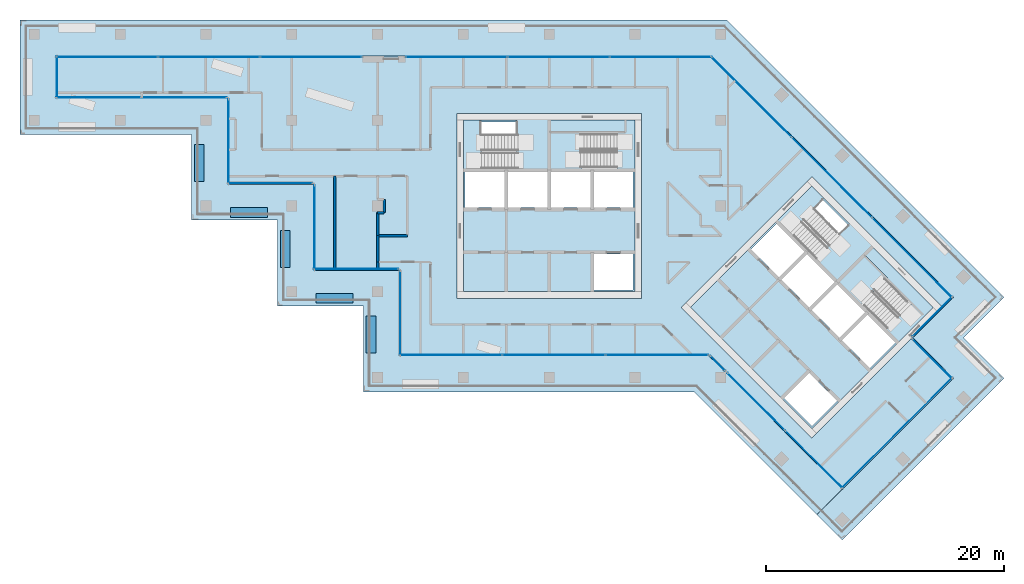
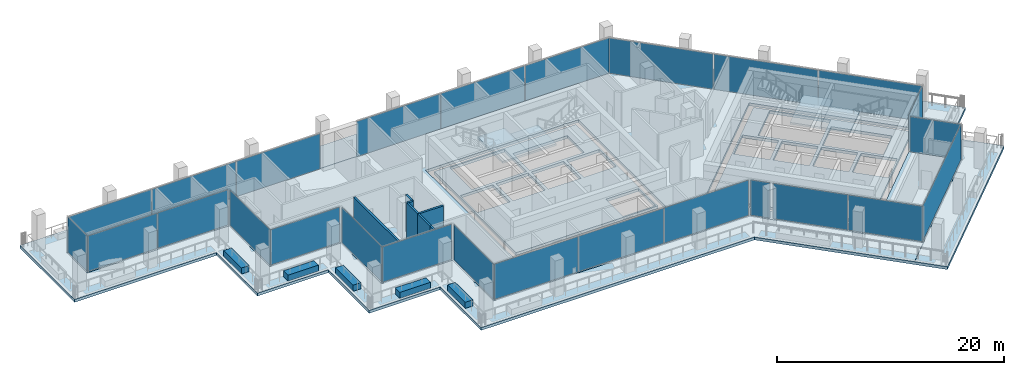
# One storey, part 8 of 19: 26 plates, 12 walls, 8 slabs, 16 openings, 20 elements without a shape of their own.
"""IFC4 building model written with IfcOpenShell, lengths in metres."""

from ifc_helpers import new_model, si_unit, direction, frame, frame_2d, origin, origin_2d, place, context, subcontext, project, spatial, polyline, rectangle, outline, extrude, material, layer, layer_set, type_object, element, aggregate, save


model = new_model("IFC4")

# Units and contexts
model_context = context("Model", 3, precision=1e-05, world=origin(), true_north=direction((0.0, 1.0)))
body_context = subcontext(model_context, "Body", "Model", "MODEL_VIEW")
ifc_project = project(units=[si_unit("LENGTHUNIT", "METRE"), si_unit("AREAUNIT", "SQUARE_METRE"), si_unit("VOLUMEUNIT", "CUBIC_METRE"), si_unit("PLANEANGLEUNIT", "RADIAN"), si_unit("MASSUNIT", "GRAM", prefix="KILO")], contexts=[model_context])

# Site, building, storey
site_placement = place(None, origin())
site = spatial("IfcSite", under=ifc_project, at=site_placement, CompositionType="ELEMENT")
building_placement = place(site_placement, origin())
building = spatial("IfcBuilding", under=site, at=building_placement, Name="Windrow Commons", CompositionType="ELEMENT")
storey_placement = place(building_placement, frame((0.0, 0.0, 185.4)))
storey = spatial("IfcBuildingStorey", under=building, at=storey_placement, Name="L50", CompositionType="ELEMENT", Elevation=185.4)

# Slab, openings
ifc_material_1 = material(Name="Concrete C50/60", Category="concrete")
ifc_layer_1 = layer(ifc_material_1, 0.3)
ifc_layer_set_1 = layer_set([ifc_layer_1], Name="CORE FLOOR SLAB 300 C50/60")
slab_type_1 = type_object("IfcSlabType", Name="CORE FLOOR SLAB 300 C50/60", PredefinedType="FLOOR", material=ifc_layer_set_1)
placement_1 = place(storey_placement, frame((0.0, 0.0, -0.3)))
slab_1 = element("IfcSlab", 1, at=placement_1, inside=storey, type_object=slab_type_1, Name="S-L50-core-A", PredefinedType="FLOOR", context=body_context, shape_type="SweptSolid", body=[
    extrude(outline(polyline([(57.6, 50.4), (72.0, 50.4), (72.0, 64.8), (57.6, 64.8), (57.6, 50.4)]), holes=[polyline([(68.55, 50.55), (71.85, 50.55), (71.85, 53.55), (68.55, 53.55), (68.55, 50.55)]), polyline([(57.75, 57.45), (61.05, 57.45), (61.05, 60.45), (57.75, 60.45), (57.75, 57.45)]), polyline([(61.35, 57.45), (64.65, 57.45), (64.65, 60.45), (61.35, 60.45), (61.35, 57.45)]), polyline([(64.95, 57.45), (68.25, 57.45), (68.25, 60.45), (64.95, 60.45), (64.95, 57.45)]), polyline([(68.55, 57.45), (71.85, 57.45), (71.85, 60.45), (68.55, 60.45), (68.55, 57.45)]), polyline([(59.1, 60.75), (64.65, 60.75), (64.65, 64.65), (59.1, 64.65), (59.1, 60.75)]), polyline([(64.95, 60.75), (70.5, 60.75), (70.5, 63.705), (64.95, 63.705), (64.95, 60.75)])]), origin(), (0.0, 0.0, 1.0), 0.3),
])
opening_1_placement = place(placement_1, origin())
element("IfcOpeningElement", 2, at=opening_1_placement, cuts=slab_1, Name="Slab opening S-L50-core-A 1", PredefinedType="OPENING", context=body_context, shape_type="SweptSolid", body=[
    extrude(outline(polyline([(68.555, 50.555), (68.555, 53.545), (71.845, 53.545), (71.845, 50.555), (68.555, 50.555)])), origin(), (0.0, 0.0, 1.0), 0.3),
])
opening_2_placement = place(placement_1, origin())
element("IfcOpeningElement", 3, at=opening_2_placement, cuts=slab_1, Name="Slab opening S-L50-core-A 2", PredefinedType="OPENING", context=body_context, shape_type="SweptSolid", body=[
    extrude(outline(polyline([(57.755, 57.455), (57.755, 60.445), (61.045, 60.445), (61.045, 57.455), (57.755, 57.455)])), origin(), (0.0, 0.0, 1.0), 0.3),
])
opening_3_placement = place(placement_1, origin())
element("IfcOpeningElement", 4, at=opening_3_placement, cuts=slab_1, Name="Slab opening S-L50-core-A 3", PredefinedType="OPENING", context=body_context, shape_type="SweptSolid", body=[
    extrude(outline(polyline([(61.355, 57.455), (61.355, 60.445), (64.645, 60.445), (64.645, 57.455), (61.355, 57.455)])), origin(), (0.0, 0.0, 1.0), 0.3),
])
opening_4_placement = place(placement_1, origin())
element("IfcOpeningElement", 5, at=opening_4_placement, cuts=slab_1, Name="Slab opening S-L50-core-A 4", PredefinedType="OPENING", context=body_context, shape_type="SweptSolid", body=[
    extrude(outline(polyline([(64.955, 57.455), (64.955, 60.445), (68.245, 60.445), (68.245, 57.455), (64.955, 57.455)])), origin(), (0.0, 0.0, 1.0), 0.3),
])
opening_5_placement = place(placement_1, origin())
element("IfcOpeningElement", 6, at=opening_5_placement, cuts=slab_1, Name="Slab opening S-L50-core-A 5", PredefinedType="OPENING", context=body_context, shape_type="SweptSolid", body=[
    extrude(outline(polyline([(68.555, 57.455), (68.555, 60.445), (71.845, 60.445), (71.845, 57.455), (68.555, 57.455)])), origin(), (0.0, 0.0, 1.0), 0.3),
])
opening_6_placement = place(placement_1, origin())
element("IfcOpeningElement", 7, at=opening_6_placement, cuts=slab_1, Name="Slab opening S-L50-core-A 6", PredefinedType="OPENING", context=body_context, shape_type="SweptSolid", body=[
    extrude(outline(polyline([(59.105, 60.755), (59.105, 64.645), (64.645, 64.645), (64.645, 60.755), (59.105, 60.755)])), origin(), (0.0, 0.0, 1.0), 0.3),
])
opening_7_placement = place(placement_1, origin())
element("IfcOpeningElement", 8, at=opening_7_placement, cuts=slab_1, Name="Slab opening S-L50-core-A 7", PredefinedType="OPENING", context=body_context, shape_type="SweptSolid", body=[
    extrude(outline(polyline([(64.955, 60.755), (64.955, 63.7), (70.495, 63.7), (70.495, 60.755), (64.955, 60.755)])), origin(), (0.0, 0.0, 1.0), 0.3),
])

slab_2 = element("IfcSlab", 9, at=placement_1, inside=storey, type_object=slab_type_1, Name="S-L50-core-B", PredefinedType="FLOOR", context=body_context, shape_type="SweptSolid", body=[
    extrude(outline(polyline([(76.6544, 49.0897), (86.8368, 38.9074), (97.0191, 49.0897), (86.8368, 59.2721), (76.6544, 49.0897)]), holes=[polyline([(84.5033, 41.453), (86.8368, 39.1195), (88.9581, 41.2409), (86.6246, 43.5743), (84.5033, 41.453)]), polyline([(81.7456, 53.9688), (84.079, 51.6353), (86.2004, 53.7566), (83.8669, 56.0901), (81.7456, 53.9688)]), polyline([(84.2912, 51.4232), (86.6246, 49.0897), (88.7459, 51.2111), (86.4125, 53.5445), (84.2912, 51.4232)]), polyline([(86.8368, 48.8776), (89.1702, 46.5442), (91.2915, 48.6655), (88.9581, 50.9989), (86.8368, 48.8776)]), polyline([(89.3823, 46.332), (91.7158, 43.9986), (93.8371, 46.1199), (91.5037, 48.4533), (89.3823, 46.332)]), polyline([(85.0336, 55.3476), (88.9581, 51.4232), (91.7158, 54.1809), (87.7913, 58.1054), (85.0336, 55.3476)]), polyline([(89.1702, 51.2111), (93.0946, 47.2866), (95.1841, 49.3761), (91.2597, 53.3006), (89.1702, 51.2111)])]), origin(), (0.0, 0.0, 1.0), 0.3),
])
opening_8_placement = place(placement_1, origin())
element("IfcOpeningElement", 10, at=opening_8_placement, cuts=slab_2, Name="Slab opening S-L50-core-B 1", PredefinedType="OPENING", context=body_context, shape_type="SweptSolid", body=[
    extrude(outline(polyline([(84.5104, 41.453), (86.6246, 43.5672), (88.951, 41.2409), (86.8368, 39.1266), (84.5104, 41.453)])), origin(), (0.0, 0.0, 1.0), 0.3),
])
opening_9_placement = place(placement_1, origin())
element("IfcOpeningElement", 11, at=opening_9_placement, cuts=slab_2, Name="Slab opening S-L50-core-B 2", PredefinedType="OPENING", context=body_context, shape_type="SweptSolid", body=[
    extrude(outline(polyline([(81.7527, 53.9688), (83.8669, 56.083), (86.1933, 53.7566), (84.079, 51.6424), (81.7527, 53.9688)])), origin(), (0.0, 0.0, 1.0), 0.3),
])
opening_10_placement = place(placement_1, origin())
element("IfcOpeningElement", 12, at=opening_10_placement, cuts=slab_2, Name="Slab opening S-L50-core-B 3", PredefinedType="OPENING", context=body_context, shape_type="SweptSolid", body=[
    extrude(outline(polyline([(84.2983, 51.4232), (86.4125, 53.5374), (88.7388, 51.2111), (86.6246, 49.0968), (84.2983, 51.4232)])), origin(), (0.0, 0.0, 1.0), 0.3),
])
opening_11_placement = place(placement_1, origin())
element("IfcOpeningElement", 13, at=opening_11_placement, cuts=slab_2, Name="Slab opening S-L50-core-B 4", PredefinedType="OPENING", context=body_context, shape_type="SweptSolid", body=[
    extrude(outline(polyline([(86.8439, 48.8776), (88.9581, 50.9918), (91.2844, 48.6655), (89.1702, 46.5513), (86.8439, 48.8776)])), origin(), (0.0, 0.0, 1.0), 0.3),
])
opening_12_placement = place(placement_1, origin())
element("IfcOpeningElement", 14, at=opening_12_placement, cuts=slab_2, Name="Slab opening S-L50-core-B 5", PredefinedType="OPENING", context=body_context, shape_type="SweptSolid", body=[
    extrude(outline(polyline([(89.3894, 46.332), (91.5037, 48.4462), (93.83, 46.1199), (91.7158, 44.0057), (89.3894, 46.332)])), origin(), (0.0, 0.0, 1.0), 0.3),
])
opening_13_placement = place(placement_1, origin())
element("IfcOpeningElement", 15, at=opening_13_placement, cuts=slab_2, Name="Slab opening S-L50-core-B 6", PredefinedType="OPENING", context=body_context, shape_type="SweptSolid", body=[
    extrude(outline(polyline([(85.0407, 55.3476), (87.7913, 58.0983), (91.7087, 54.1809), (88.9581, 51.4303), (85.0407, 55.3476)])), origin(), (0.0, 0.0, 1.0), 0.3),
])
opening_14_placement = place(placement_1, origin())
element("IfcOpeningElement", 16, at=opening_14_placement, cuts=slab_2, Name="Slab opening S-L50-core-B 7", PredefinedType="OPENING", context=body_context, shape_type="SweptSolid", body=[
    extrude(outline(polyline([(89.1773, 51.2111), (91.2597, 53.2935), (95.177, 49.3761), (93.0946, 47.2937), (89.1773, 51.2111)])), origin(), (0.0, 0.0, 1.0), 0.3),
])

# Curtain wall, plate
ifc_material_2 = material(Name="Clear laminated glass in Aluminium 6063-T6 anodised frame", Category="aluminium")
curtain_wall_type = type_object("IfcCurtainWallType", Name="Curtain wall CW2H sky lounge upper", PredefinedType="USERDEFINED", material=ifc_material_2)
placement_2 = place(storey_placement, origin())
curtain_wall_1 = element("IfcCurtainWall", 17, at=placement_2, inside=storey, type_object=curtain_wall_type, Name="Curtain wall CW2H L50 1", ObjectType="UNITISED", PredefinedType="USERDEFINED")
ifc_material_3 = material(Name="Clear laminated glass", Category="glass")
ifc_layer_2 = layer(ifc_material_3, 0.032)
ifc_layer_set_2 = layer_set([ifc_layer_2], Name="CW2H panel glass 32")
plate_type = type_object("IfcPlateType", Name="CW2H panel glass 32", PredefinedType="CURTAIN_PANEL", material=ifc_layer_set_2)
plate_1_placement = place(storey_placement, frame((96.9483, 44.7764, 0.06), z_axis=(0.0, 0.0, 1.0), x_axis=(-0.7070963646, 0.7071171977, 0.0)))
plate_1 = element("IfcPlate", 18, at=plate_1_placement, type_object=plate_type, Name="CW2H panel 1.1", PredefinedType="CURTAIN_PANEL", context=body_context, shape_type="SweptSolid", body=[
    extrude(rectangle(XDim=4.6801, YDim=0.032, at=origin_2d()), origin(), (0.0, 0.0, 1.0), 3.78),
])
aggregate(curtain_wall_1, [plate_1])

curtain_wall_2 = element("IfcCurtainWall", 19, at=placement_2, inside=storey, type_object=curtain_wall_type, Name="Curtain wall CW2H L50 2", ObjectType="UNITISED", PredefinedType="USERDEFINED")
plate_2_placement = place(storey_placement, frame((96.9483, 48.312, 0.06), z_axis=(0.0, 0.0, 1.0), x_axis=(0.7071067812, 0.7071067812, 0.0)))
plate_2 = element("IfcPlate", 20, at=plate_2_placement, type_object=plate_type, Name="CW2H panel 1.1", PredefinedType="CURTAIN_PANEL", context=body_context, shape_type="SweptSolid", body=[
    extrude(rectangle(XDim=4.68, YDim=0.032, at=origin_2d()), origin(), (0.0, 0.0, 1.0), 3.78),
])
aggregate(curtain_wall_2, [plate_2])

# Curtain wall, plates
curtain_wall_3 = element("IfcCurtainWall", 21, at=placement_2, inside=storey, type_object=curtain_wall_type, Name="Curtain wall CW2H L50 3", ObjectType="UNITISED", PredefinedType="USERDEFINED")
plate_3_placement = place(storey_placement, frame((95.2578, 53.2551, 0.06), z_axis=(0.0, 0.0, 1.0), x_axis=(-0.7071067812, 0.7071067812, 0.0)))
plate_3 = element("IfcPlate", 22, at=plate_3_placement, type_object=plate_type, Name="CW2H panel 1.1", PredefinedType="CURTAIN_PANEL", context=body_context, shape_type="SweptSolid", body=[
    extrude(rectangle(XDim=9.4615, YDim=0.032, at=origin_2d()), origin(), (0.0, 0.0, 1.0), 3.78),
])
plate_4_placement = place(storey_placement, frame((88.5145, 59.9984, 0.06), z_axis=(0.0, 0.0, 1.0), x_axis=(-0.7071067812, 0.7071067812, 0.0)))
plate_4 = element("IfcPlate", 23, at=plate_4_placement, type_object=plate_type, Name="CW2H panel 2.1", PredefinedType="CURTAIN_PANEL", context=body_context, shape_type="SweptSolid", body=[
    extrude(rectangle(XDim=9.4915, YDim=0.032, at=origin_2d()), origin(), (0.0, 0.0, 1.0), 3.78),
])
plate_5_placement = place(storey_placement, frame((81.7712, 66.7417, 0.06), z_axis=(0.0, 0.0, 1.0), x_axis=(-0.7071067812, 0.7071067812, 0.0)))
plate_5 = element("IfcPlate", 24, at=plate_5_placement, type_object=plate_type, Name="CW2H panel 3.1", PredefinedType="CURTAIN_PANEL", context=body_context, shape_type="SweptSolid", body=[
    extrude(rectangle(XDim=9.4615, YDim=0.032, at=origin_2d()), origin(), (0.0, 0.0, 1.0), 3.78),
])
aggregate(curtain_wall_3, [plate_3, plate_4, plate_5])

curtain_wall_4 = element("IfcCurtainWall", 25, at=placement_2, inside=storey, type_object=curtain_wall_type, Name="Curtain wall CW2H L50 4.1", ObjectType="UNITISED", PredefinedType="USERDEFINED")
plate_6_placement = place(storey_placement, frame((74.1516, 70.1, 0.06), z_axis=(0.0, 0.0, 1.0), x_axis=(-1.0, 0.0, 0.0)))
plate_6 = element("IfcPlate", 26, at=plate_6_placement, type_object=plate_type, Name="CW2H panel 1.1", PredefinedType="CURTAIN_PANEL", context=body_context, shape_type="SweptSolid", body=[
    extrude(rectangle(XDim=8.4857, YDim=0.032, at=origin_2d()), origin(), (0.0, 0.0, 1.0), 3.78),
])
plate_7_placement = place(storey_placement, frame((65.5909, 70.1, 0.06), z_axis=(0.0, 0.0, 1.0), x_axis=(-1.0, 0.0, 0.0)))
plate_7 = element("IfcPlate", 27, at=plate_7_placement, type_object=plate_type, Name="CW2H panel 2.1", PredefinedType="CURTAIN_PANEL", context=body_context, shape_type="SweptSolid", body=[
    extrude(rectangle(XDim=8.5157, YDim=0.032, at=origin_2d()), origin(), (0.0, 0.0, 1.0), 3.78),
])
plate_8_placement = place(storey_placement, frame((57.0302, 70.1, 0.06), z_axis=(0.0, 0.0, 1.0), x_axis=(-1.0, 0.0, 0.0)))
plate_8 = element("IfcPlate", 28, at=plate_8_placement, type_object=plate_type, Name="CW2H panel 3.1", PredefinedType="CURTAIN_PANEL", context=body_context, shape_type="SweptSolid", body=[
    extrude(rectangle(XDim=8.4857, YDim=0.032, at=origin_2d()), origin(), (0.0, 0.0, 1.0), 3.78),
])
aggregate(curtain_wall_4, [plate_6, plate_7, plate_8])

curtain_wall_5 = element("IfcCurtainWall", 29, at=placement_2, inside=storey, type_object=curtain_wall_type, Name="Curtain wall CW2H L50 4.2", ObjectType="UNITISED", PredefinedType="USERDEFINED")
plate_9_placement = place(storey_placement, frame((44.8245, 70.1, 0.06), z_axis=(0.0, 0.0, 1.0), x_axis=(-1.0, 0.0, 0.0)))
plate_9 = element("IfcPlate", 30, at=plate_9_placement, type_object=plate_type, Name="CW2H panel 1.1", PredefinedType="CURTAIN_PANEL", context=body_context, shape_type="SweptSolid", body=[
    extrude(rectangle(XDim=8.4858, YDim=0.032, at=origin_2d()), origin(), (0.0, 0.0, 1.0), 3.78),
])
plate_10_placement = place(storey_placement, frame((36.2637, 70.1, 0.06), z_axis=(0.0, 0.0, 1.0), x_axis=(-1.0, 0.0, 0.0)))
plate_10 = element("IfcPlate", 31, at=plate_10_placement, type_object=plate_type, Name="CW2H panel 2.1", PredefinedType="CURTAIN_PANEL", context=body_context, shape_type="SweptSolid", body=[
    extrude(rectangle(XDim=8.5158, YDim=0.032, at=origin_2d()), origin(), (0.0, 0.0, 1.0), 3.78),
])
plate_11_placement = place(storey_placement, frame((27.7029, 70.1, 0.06), z_axis=(0.0, 0.0, 1.0), x_axis=(-1.0, 0.0, 0.0)))
plate_11 = element("IfcPlate", 32, at=plate_11_placement, type_object=plate_type, Name="CW2H panel 3.1", PredefinedType="CURTAIN_PANEL", context=body_context, shape_type="SweptSolid", body=[
    extrude(rectangle(XDim=8.4858, YDim=0.032, at=origin_2d()), origin(), (0.0, 0.0, 1.0), 3.78),
])
aggregate(curtain_wall_5, [plate_9, plate_10, plate_11])

# Curtain wall, plate
curtain_wall_6 = element("IfcCurtainWall", 33, at=placement_2, inside=storey, type_object=curtain_wall_type, Name="Curtain wall CW2H L50 5", ObjectType="UNITISED", PredefinedType="USERDEFINED")
plate_12_placement = place(storey_placement, frame((23.5, 68.4, 0.06), z_axis=(0.0, 0.0, 1.0), x_axis=(0.0, -1.0, 0.0)))
plate_12 = element("IfcPlate", 34, at=plate_12_placement, type_object=plate_type, Name="CW2H panel 1.1", PredefinedType="CURTAIN_PANEL", context=body_context, shape_type="SweptSolid", body=[
    extrude(rectangle(XDim=3.48, YDim=0.032, at=origin_2d()), origin(), (0.0, 0.0, 1.0), 3.78),
])
aggregate(curtain_wall_6, [plate_12])

# Curtain wall, plates
curtain_wall_7 = element("IfcCurtainWall", 35, at=placement_2, inside=storey, type_object=curtain_wall_type, Name="Curtain wall CW2H L50 6", ObjectType="UNITISED", PredefinedType="USERDEFINED")
plate_13_placement = place(storey_placement, frame((27.015, 66.7, 0.06), z_axis=(0.0, 0.0, 1.0), x_axis=(1.0, 0.0, 0.0)))
plate_13 = element("IfcPlate", 36, at=plate_13_placement, type_object=plate_type, Name="CW2H panel 1.1", PredefinedType="CURTAIN_PANEL", context=body_context, shape_type="SweptSolid", body=[
    extrude(rectangle(XDim=7.11, YDim=0.032, at=origin_2d()), origin(), (0.0, 0.0, 1.0), 3.78),
])
plate_14_placement = place(storey_placement, frame((34.185, 66.7, 0.06), z_axis=(0.0, 0.0, 1.0), x_axis=(1.0, 0.0, 0.0)))
plate_14 = element("IfcPlate", 37, at=plate_14_placement, type_object=plate_type, Name="CW2H panel 2.1", PredefinedType="CURTAIN_PANEL", context=body_context, shape_type="SweptSolid", body=[
    extrude(rectangle(XDim=7.11, YDim=0.032, at=origin_2d()), origin(), (0.0, 0.0, 1.0), 3.78),
])
aggregate(curtain_wall_7, [plate_13, plate_14])

# Curtain wall, plate
curtain_wall_8 = element("IfcCurtainWall", 38, at=placement_2, inside=storey, type_object=curtain_wall_type, Name="Curtain wall CW2H L50 7", ObjectType="UNITISED", PredefinedType="USERDEFINED")
plate_15_placement = place(storey_placement, frame((37.9, 63.0, 0.06), z_axis=(0.0, 0.0, 1.0), x_axis=(0.0, -1.0, 0.0)))
plate_15 = element("IfcPlate", 39, at=plate_15_placement, type_object=plate_type, Name="CW2H panel 1.1", PredefinedType="CURTAIN_PANEL", context=body_context, shape_type="SweptSolid", body=[
    extrude(rectangle(XDim=7.08, YDim=0.032, at=origin_2d()), origin(), (0.0, 0.0, 1.0), 3.78),
])
aggregate(curtain_wall_8, [plate_15])

curtain_wall_9 = element("IfcCurtainWall", 40, at=placement_2, inside=storey, type_object=curtain_wall_type, Name="Curtain wall CW2H L50 8", ObjectType="UNITISED", PredefinedType="USERDEFINED")
plate_16_placement = place(storey_placement, frame((41.4, 59.5, 0.06), z_axis=(0.0, 0.0, 1.0), x_axis=(1.0, 0.0, 0.0)))
plate_16 = element("IfcPlate", 41, at=plate_16_placement, type_object=plate_type, Name="CW2H panel 1.1", PredefinedType="CURTAIN_PANEL", context=body_context, shape_type="SweptSolid", body=[
    extrude(rectangle(XDim=7.08, YDim=0.032, at=origin_2d()), origin(), (0.0, 0.0, 1.0), 3.78),
])
aggregate(curtain_wall_9, [plate_16])

curtain_wall_10 = element("IfcCurtainWall", 42, at=placement_2, inside=storey, type_object=curtain_wall_type, Name="Curtain wall CW2H L50 9", ObjectType="UNITISED", PredefinedType="USERDEFINED")
plate_17_placement = place(storey_placement, frame((45.1, 55.8, 0.06), z_axis=(0.0, 0.0, 1.0), x_axis=(0.0, -1.0, 0.0)))
plate_17 = element("IfcPlate", 43, at=plate_17_placement, type_object=plate_type, Name="CW2H panel 1.1", PredefinedType="CURTAIN_PANEL", context=body_context, shape_type="SweptSolid", body=[
    extrude(rectangle(XDim=7.08, YDim=0.032, at=origin_2d()), origin(), (0.0, 0.0, 1.0), 3.78),
])
aggregate(curtain_wall_10, [plate_17])

curtain_wall_11 = element("IfcCurtainWall", 44, at=placement_2, inside=storey, type_object=curtain_wall_type, Name="Curtain wall CW2H L50 10", ObjectType="UNITISED", PredefinedType="USERDEFINED")
plate_18_placement = place(storey_placement, frame((48.6, 52.3, 0.06), z_axis=(0.0, 0.0, 1.0), x_axis=(1.0, 0.0, 0.0)))
plate_18 = element("IfcPlate", 45, at=plate_18_placement, type_object=plate_type, Name="CW2H panel 1.1", PredefinedType="CURTAIN_PANEL", context=body_context, shape_type="SweptSolid", body=[
    extrude(rectangle(XDim=7.08, YDim=0.032, at=origin_2d()), origin(), (0.0, 0.0, 1.0), 3.78),
])
aggregate(curtain_wall_11, [plate_18])

curtain_wall_12 = element("IfcCurtainWall", 46, at=placement_2, inside=storey, type_object=curtain_wall_type, Name="Curtain wall CW2H L50 11", ObjectType="UNITISED", PredefinedType="USERDEFINED")
plate_19_placement = place(storey_placement, frame((52.3, 48.6, 0.06), z_axis=(0.0, 0.0, 1.0), x_axis=(0.0, -1.0, 0.0)))
plate_19 = element("IfcPlate", 47, at=plate_19_placement, type_object=plate_type, Name="CW2H panel 1.1", PredefinedType="CURTAIN_PANEL", context=body_context, shape_type="SweptSolid", body=[
    extrude(rectangle(XDim=7.08, YDim=0.032, at=origin_2d()), origin(), (0.0, 0.0, 1.0), 3.78),
])
aggregate(curtain_wall_12, [plate_19])

# Curtain wall, plates
curtain_wall_13 = element("IfcCurtainWall", 48, at=placement_2, inside=storey, type_object=curtain_wall_type, Name="Curtain wall CW2H L50 12", ObjectType="UNITISED", PredefinedType="USERDEFINED")
plate_20_placement = place(storey_placement, frame((56.5481, 45.1, 0.06), z_axis=(0.0, 0.0, 1.0), x_axis=(1.0, 0.0, 0.0)))
plate_20 = element("IfcPlate", 49, at=plate_20_placement, type_object=plate_type, Name="CW2H panel 1.1", PredefinedType="CURTAIN_PANEL", context=body_context, shape_type="SweptSolid", body=[
    extrude(rectangle(XDim=8.5762, YDim=0.032, at=origin_2d()), origin(), (0.0, 0.0, 1.0), 3.78),
])
plate_21_placement = place(storey_placement, frame((65.1993, 45.1, 0.06), z_axis=(0.0, 0.0, 1.0), x_axis=(1.0, 0.0, 0.0)))
plate_21 = element("IfcPlate", 50, at=plate_21_placement, type_object=plate_type, Name="CW2H panel 2.1", PredefinedType="CURTAIN_PANEL", context=body_context, shape_type="SweptSolid", body=[
    extrude(rectangle(XDim=8.6062, YDim=0.032, at=origin_2d()), origin(), (0.0, 0.0, 1.0), 3.78),
])
plate_22_placement = place(storey_placement, frame((73.8505, 45.1, 0.06), z_axis=(0.0, 0.0, 1.0), x_axis=(1.0, 0.0, 0.0)))
plate_22 = element("IfcPlate", 51, at=plate_22_placement, type_object=plate_type, Name="CW2H panel 3.1", PredefinedType="CURTAIN_PANEL", context=body_context, shape_type="SweptSolid", body=[
    extrude(rectangle(XDim=8.5762, YDim=0.032, at=origin_2d()), origin(), (0.0, 0.0, 1.0), 3.78),
])
aggregate(curtain_wall_13, [plate_20, plate_21, plate_22])

# Curtain wall, plate
curtain_wall_14 = element("IfcCurtainWall", 52, at=placement_2, inside=storey, type_object=curtain_wall_type, Name="Curtain wall CW2H L50 13", ObjectType="UNITISED", PredefinedType="USERDEFINED")
plate_23_placement = place(storey_placement, frame((78.9436, 44.3964, 0.06), z_axis=(0.0, 0.0, 1.0), x_axis=(0.70710362, -0.7071099424, 0.0)))
plate_23 = element("IfcPlate", 53, at=plate_23_placement, type_object=plate_type, Name="CW2H panel 1.1", PredefinedType="CURTAIN_PANEL", context=body_context, shape_type="SweptSolid", body=[
    extrude(rectangle(XDim=1.7872, YDim=0.032, at=origin_2d()), origin(), (0.0, 0.0, 1.0), 3.78),
])
aggregate(curtain_wall_14, [plate_23])

# Curtain wall, plates
curtain_wall_15 = element("IfcCurtainWall", 54, at=placement_2, inside=storey, type_object=curtain_wall_type, Name="Curtain wall CW2H L50 13.2", ObjectType="UNITISED", PredefinedType="USERDEFINED")
plate_24_placement = place(storey_placement, frame((82.1655, 41.1745, 0.06), z_axis=(0.0, 0.0, 1.0), x_axis=(0.7071036198, -0.7071099425, 0.0)))
plate_24 = element("IfcPlate", 55, at=plate_24_placement, type_object=plate_type, Name="CW2H panel 1.1", PredefinedType="CURTAIN_PANEL", context=body_context, shape_type="SweptSolid", body=[
    extrude(rectangle(XDim=6.7908, YDim=0.032, at=origin_2d()), origin(), (0.0, 0.0, 1.0), 3.78),
])
plate_25_placement = place(storey_placement, frame((87.0097, 36.3303, 0.06), z_axis=(0.0, 0.0, 1.0), x_axis=(0.7071036198, -0.7071099425, 0.0)))
plate_25 = element("IfcPlate", 56, at=plate_25_placement, type_object=plate_type, Name="CW2H panel 2.1", PredefinedType="CURTAIN_PANEL", context=body_context, shape_type="SweptSolid", body=[
    extrude(rectangle(XDim=6.7908, YDim=0.032, at=origin_2d()), origin(), (0.0, 0.0, 1.0), 3.78),
])
aggregate(curtain_wall_15, [plate_24, plate_25])

# Curtain wall, plate
curtain_wall_16 = element("IfcCurtainWall", 57, at=placement_2, inside=storey, type_object=curtain_wall_type, Name="Curtain wall CW2H L50 14", ObjectType="UNITISED", PredefinedType="USERDEFINED")
plate_26_placement = place(storey_placement, frame((93.9785, 38.5538, 0.06), z_axis=(0.0, 0.0, 1.0), x_axis=(0.7071067812, 0.7071067812, 0.0)))
plate_26 = element("IfcPlate", 58, at=plate_26_placement, type_object=plate_type, Name="CW2H panel 1.1", PredefinedType="CURTAIN_PANEL", context=body_context, shape_type="SweptSolid", body=[
    extrude(rectangle(XDim=13.08, YDim=0.032, at=origin_2d()), origin(), (0.0, 0.0, 1.0), 3.78),
])
aggregate(curtain_wall_16, [plate_26])

# Stair, slab
ifc_material_4 = material(Name="Concrete C40/50", Category="concrete")
stair_type = type_object("IfcStairType", Name="Core stair", PredefinedType="HALF_TURN_STAIR", material=ifc_material_4)
stair_1 = element("IfcStair", 59, at=placement_2, inside=storey, type_object=stair_type, Name="L50 Exit stair A1 core A", PredefinedType="HALF_TURN_STAIR")
ifc_material_5 = material(Name="Concrete C40/50", Category="concrete")
ifc_layer_3 = layer(ifc_material_5, 0.2)
ifc_layer_set_3 = layer_set([ifc_layer_3], Name="Core stair landing")
slab_type_2 = type_object("IfcSlabType", Name="Core stair landing", PredefinedType="LANDING", material=ifc_layer_set_3)
placement_3 = place(storey_placement, frame((0.0, 0.0, 1.9)))
slab_3 = element("IfcSlab", 60, at=placement_3, type_object=slab_type_2, Name="ST-A1 landing 1", PredefinedType="LANDING", context=body_context, shape_type="SweptSolid", body=[
    extrude(outline(polyline([(62.06, 60.5), (64.8, 60.5), (64.8, 64.9), (62.06, 64.9), (62.06, 60.5)])), origin(), (0.0, 0.0, 1.0), 0.2),
])
aggregate(stair_1, [slab_3])

stair_2 = element("IfcStair", 61, at=placement_2, inside=storey, type_object=stair_type, Name="L50 Exit stair A2 core A", PredefinedType="HALF_TURN_STAIR")
slab_4 = element("IfcSlab", 62, at=placement_3, type_object=slab_type_2, Name="ST-A2 landing 1", PredefinedType="LANDING", context=body_context, shape_type="SweptSolid", body=[
    extrude(outline(polyline([(64.8, 60.5), (67.54, 60.5), (67.54, 63.855), (64.8, 63.855), (64.8, 60.5)])), origin(), (0.0, 0.0, 1.0), 0.2),
])
aggregate(stair_2, [slab_4])

stair_3 = element("IfcStair", 63, at=placement_2, inside=storey, type_object=stair_type, Name="L50 Exit stair B1 core B", PredefinedType="HALF_TURN_STAIR")
slab_5 = element("IfcSlab", 64, at=placement_3, type_object=slab_type_2, Name="ST-B1 landing 1", PredefinedType="LANDING", context=body_context, shape_type="SweptSolid", body=[
    extrude(outline(polyline([(86.9499, 53.0778), (88.8874, 51.1403), (91.9986, 54.2516), (90.0612, 56.1891), (86.9499, 53.0778)])), origin(), (0.0, 0.0, 1.0), 0.2),
])
aggregate(stair_3, [slab_5])

stair_4 = element("IfcStair", 65, at=placement_2, inside=storey, type_object=stair_type, Name="L50 Exit stair B2 core B", PredefinedType="HALF_TURN_STAIR")
slab_6 = element("IfcSlab", 66, at=placement_3, type_object=slab_type_2, Name="ST-B2 landing 1", PredefinedType="LANDING", context=body_context, shape_type="SweptSolid", body=[
    extrude(outline(polyline([(88.8874, 51.1403), (90.8248, 49.2029), (93.1971, 51.5752), (91.2597, 53.5127), (88.8874, 51.1403)])), origin(), (0.0, 0.0, 1.0), 0.2),
])
aggregate(stair_4, [slab_6])

# Slab, openings
ifc_material_6 = material(Name="Concrete C50/60", Category="concrete")
ifc_layer_4 = layer(ifc_material_6, 0.3)
ifc_layer_set_4 = layer_set([ifc_layer_4], Name="FLOOR SLAB 300 C50/60")
slab_type_3 = type_object("IfcSlabType", Name="FLOOR SLAB 300 C50/60", PredefinedType="FLOOR", material=ifc_layer_set_4)
slab_7 = element("IfcSlab", 67, at=placement_1, inside=storey, type_object=slab_type_3, Name="S-L50-floor", PredefinedType="FLOOR", context=body_context, shape_type="SweptSolid", body=[
    extrude(outline(polyline([(89.3823, 33.8162), (98.7161, 43.15), (95.322, 46.5442), (98.7161, 49.9383), (78.4544, 70.2), (23.4, 70.2), (23.4, 66.6), (37.8, 66.6), (37.8, 59.4), (45.0, 59.4), (45.0, 52.2), (52.2, 52.2), (52.2, 45.0), (78.1986, 45.0), (89.3823, 33.8162)]), holes=[polyline([(75.8766, 49.0897), (86.8368, 60.0499), (97.7969, 49.0897), (86.8368, 38.1296), (75.8766, 49.0897)]), polyline([(57.05, 49.85), (57.05, 65.35), (72.55, 65.35), (72.55, 49.85), (57.05, 49.85)])]), origin(), (0.0, 0.0, 1.0), 0.3),
])
opening_15_placement = place(placement_1, origin())
element("IfcOpeningElement", 68, at=opening_15_placement, cuts=slab_7, Name="Slab opening S-L50-floor 1", PredefinedType="OPENING", context=body_context, shape_type="SweptSolid", body=[
    extrude(outline(polyline([(75.8837, 49.0897), (86.8368, 60.0428), (97.7898, 49.0897), (86.8368, 38.1367), (75.8837, 49.0897)])), origin(), (0.0, 0.0, 1.0), 0.3),
])
opening_16_placement = place(placement_1, origin())
element("IfcOpeningElement", 69, at=opening_16_placement, cuts=slab_7, Name="Slab opening S-L50-floor 2", PredefinedType="OPENING", context=body_context, shape_type="SweptSolid", body=[
    extrude(outline(polyline([(57.055, 49.855), (57.055, 65.345), (72.545, 65.345), (72.545, 49.855), (57.055, 49.855)])), origin(), (0.0, 0.0, 1.0), 0.3),
])

# Slab
ifc_material_7 = material(Name="Concrete C50/60", Category="concrete")
ifc_layer_5 = layer(ifc_material_7, 0.3)
ifc_layer_set_5 = layer_set([ifc_layer_5], Name="TERRACE SLAB 300 C50/60")
slab_type_4 = type_object("IfcSlabType", Name="TERRACE SLAB 300 C50/60", PredefinedType="FLOOR", material=ifc_layer_set_5)
element("IfcSlab", 70, at=placement_1, inside=storey, type_object=slab_type_4, Name="Terrace slab TR-L50-1", PredefinedType="FLOOR", context=body_context, shape_type="SweptSolid", body=[
    extrude(outline(polyline([(49.2, 49.2), (49.2, 42.0), (76.9559, 42.0), (87.2539, 31.702), (89.3752, 33.8233), (78.1986, 45.0), (52.2, 45.0), (52.2, 52.2), (45.0, 52.2), (45.0, 59.4), (37.8, 59.4), (37.8, 66.6), (23.4, 66.6), (23.4, 70.2), (78.4544, 70.2), (98.7161, 49.9383), (95.322, 46.5442), (98.7161, 43.15), (89.4177, 33.8516), (89.4247, 33.8445), (87.2681, 31.6878), (89.3823, 29.5736), (102.9588, 43.15), (99.5647, 46.5442), (102.9588, 49.9383), (79.6971, 73.2), (20.4, 73.2), (20.4, 63.6), (34.8, 63.6), (34.8, 56.4), (42.0, 56.4), (42.0, 49.2), (49.2, 49.2)])), origin(), (0.0, 0.0, 1.0), 0.3),
])

# Walls
ifc_material_8 = material(Name="Blockwork partition", Category="masonry")
ifc_layer_6 = layer(ifc_material_8, 0.2)
ifc_layer_set_6 = layer_set([ifc_layer_6], Name="IW-CORRIDOR-200")
wall_type_1 = type_object("IfcWallType", Name="IW-CORRIDOR-200", PredefinedType="PARTITIONING", material=ifc_layer_set_6)
wall_1_placement = place(storey_placement, frame((50.4, 55.1, 0.0), z_axis=(0.0, 0.0, 1.0), x_axis=(1.0, 0.0, 0.0)))
element("IfcWall", 71, at=wall_1_placement, inside=storey, type_object=wall_type_1, Name="W-L50-W042", PredefinedType="PARTITIONING", context=body_context, shape_type="SweptSolid", body=[
    extrude(rectangle(XDim=2.5, YDim=0.2, at=frame_2d((1.25, 0.0))), origin(), (0.0, 0.0, 1.0), 3.9),
])
wall_2_placement = place(storey_placement, frame((50.4, 52.9, 0.0), z_axis=(0.0, 0.0, 1.0), x_axis=(0.0, 1.0, 0.0)))
element("IfcWall", 72, at=wall_2_placement, inside=storey, type_object=wall_type_1, Name="W-L50-W045", PredefinedType="PARTITIONING", context=body_context, shape_type="SweptSolid", body=[
    extrude(rectangle(XDim=2.2, YDim=0.2, at=frame_2d((1.1, 0.0))), origin(), (0.0, 0.0, 1.0), 3.9),
])
ifc_material_9 = material(Name="Blockwork partition", Category="masonry")
ifc_layer_7 = layer(ifc_material_9, 0.2)
ifc_layer_set_7 = layer_set([ifc_layer_7], Name="IW-PARTY-200")
wall_type_2 = type_object("IfcWallType", Name="IW-PARTY-200", PredefinedType="PARTITIONING", material=ifc_layer_set_7)
wall_3_placement = place(storey_placement, frame((46.8, 52.33, 0.0), z_axis=(0.0, 0.0, 1.0), x_axis=(0.0, 1.0, 0.0)))
element("IfcWall", 73, at=wall_3_placement, inside=storey, type_object=wall_type_2, Name="W-L50-W006", PredefinedType="PARTITIONING", context=body_context, shape_type="SweptSolid", body=[
    extrude(rectangle(XDim=7.77, YDim=0.2, at=frame_2d((3.885, 0.0))), origin(), (0.0, 0.0, 1.0), 3.9),
])
wall_4_placement = place(storey_placement, frame((50.4, 55.1, 0.0), z_axis=(0.0, 0.0, 1.0), x_axis=(0.0, 1.0, 0.0)))
element("IfcWall", 74, at=wall_4_placement, inside=storey, type_object=wall_type_2, Name="W-L50-W050", PredefinedType="PARTITIONING", context=body_context, shape_type="SweptSolid", body=[
    extrude(rectangle(XDim=1.944, YDim=0.2, at=frame_2d((0.972, 0.0))), origin(), (0.0, 0.0, 1.0), 3.9),
])
wall_5_placement = place(storey_placement, frame((50.95, 57.044, 0.0), z_axis=(0.0, 0.0, 1.0), x_axis=(0.0, 1.0, 0.0)))
element("IfcWall", 75, at=wall_5_placement, inside=storey, type_object=wall_type_2, Name="W-L50-W061", PredefinedType="PARTITIONING", context=body_context, shape_type="SweptSolid", body=[
    extrude(rectangle(XDim=1.112, YDim=0.2, at=frame_2d((0.556, 0.0))), origin(), (0.0, 0.0, 1.0), 3.9),
])
wall_6_placement = place(storey_placement, frame((50.4, 52.33, 0.0), z_axis=(0.0, 0.0, 1.0), x_axis=(0.0, 1.0, 0.0)))
element("IfcWall", 76, at=wall_6_placement, inside=storey, type_object=wall_type_2, Name="W-L50-W069", PredefinedType="PARTITIONING", context=body_context, shape_type="SweptSolid", body=[
    extrude(rectangle(XDim=0.57, YDim=0.2, at=frame_2d((0.285, 0.0))), origin(), (0.0, 0.0, 1.0), 3.9),
])
wall_7_placement = place(storey_placement, frame((50.4, 57.04, 0.0), z_axis=(0.0, 0.0, 1.0), x_axis=(1.0, 0.0, 0.0)))
element("IfcWall", 77, at=wall_7_placement, inside=storey, type_object=wall_type_2, Name="W-L50-W071", PredefinedType="PARTITIONING", context=body_context, shape_type="SweptSolid", body=[
    extrude(rectangle(XDim=0.55, YDim=0.2, at=frame_2d((0.275, 0.0))), origin(), (0.0, 0.0, 1.0), 3.9),
])
ifc_material_10 = material(Name="Concrete C30/37 planter wall", Category="concrete")
ifc_layer_8 = layer(ifc_material_10, 0.8)
ifc_layer_set_8 = layer_set([ifc_layer_8], Name="Planter 800x600")
wall_type_3 = type_object("IfcWallType", Name="Planter 800x600", PredefinedType="SOLIDWALL", material=ifc_layer_set_8)
for number, where, z_axis, x_axis, name in (
    (78, (35.45, 62.75, 0.0), (0.0, 0.0, 1.0), (0.0, -1.0, 0.0), "PLANTER TR-L50-1.9"),
    (79, (38.05, 57.05, 0.0), (0.0, 0.0, 1.0), (1.0, 0.0, 0.0), "PLANTER TR-L50-1.10"),
    (80, (42.65, 55.55, 0.0), (0.0, 0.0, 1.0), (0.0, -1.0, 0.0), "PLANTER TR-L50-1.11"),
    (81, (45.25, 49.85, 0.0), (0.0, 0.0, 1.0), (1.0, 0.0, 0.0), "PLANTER TR-L50-1.12"),
    (82, (49.85, 48.35, 0.0), (0.0, 0.0, 1.0), (0.0, -1.0, 0.0), "PLANTER TR-L50-1.13"),
):
    element("IfcWall", number, at=place(storey_placement, frame(where, z_axis=z_axis, x_axis=x_axis)), inside=storey, type_object=wall_type_3, Name=name, PredefinedType="SOLIDWALL", context=body_context, shape_type="SweptSolid", body=[
        extrude(rectangle(XDim=3.1, YDim=0.8, at=frame_2d((1.55, 0.0))), origin(), (0.0, 0.0, 1.0), 0.65),
    ])

save(model, "model.ifc")
